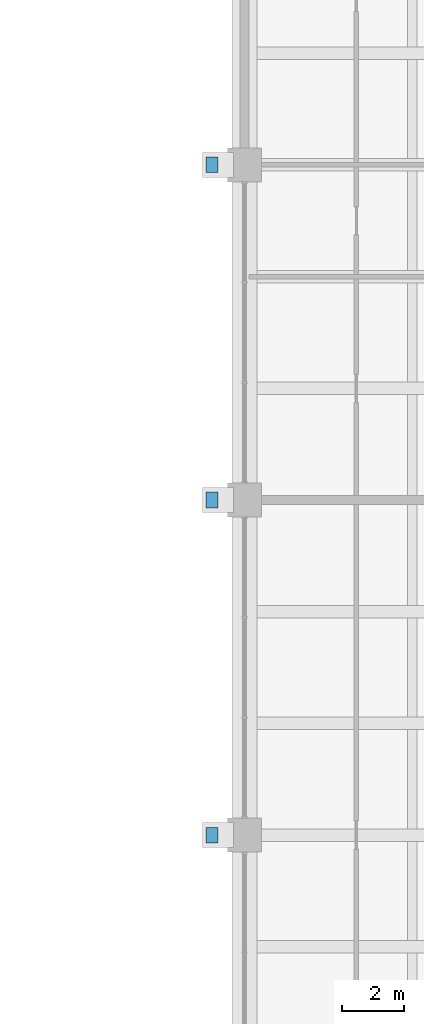
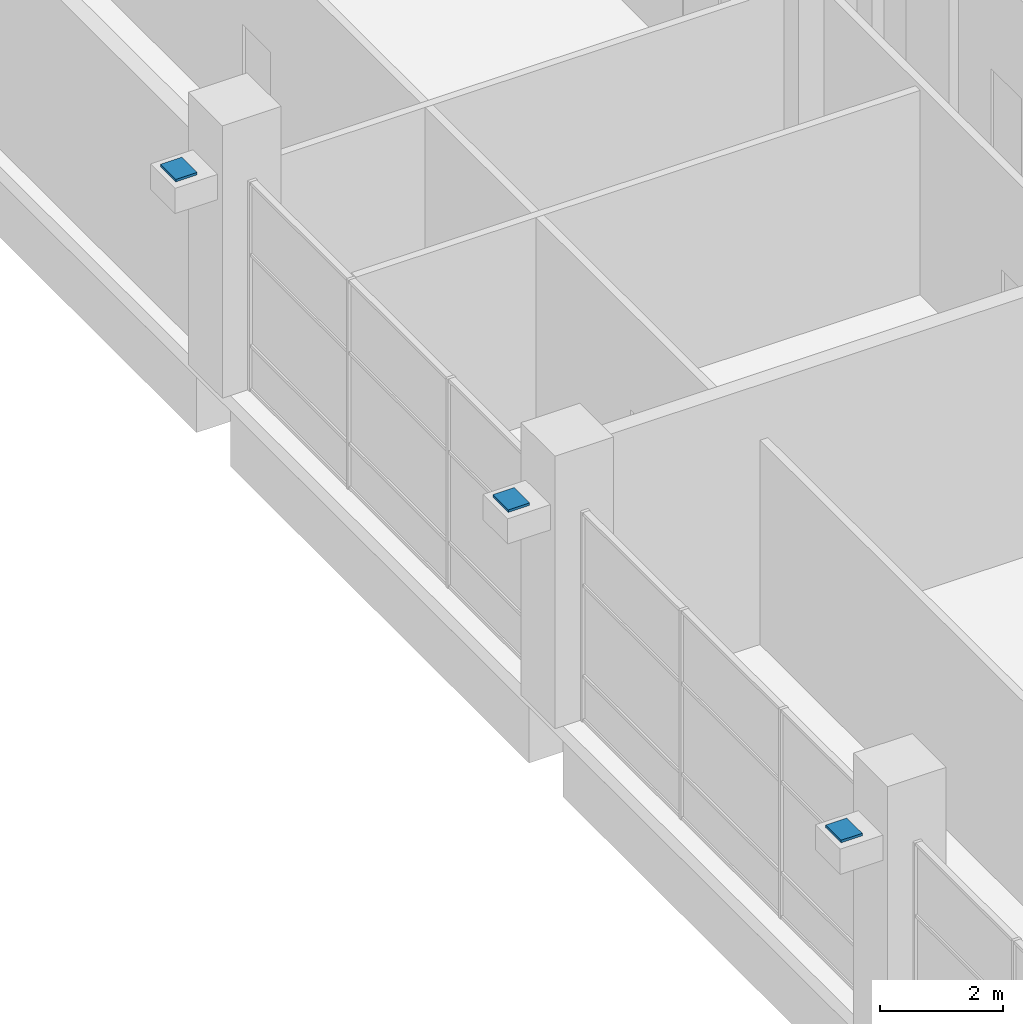
# One storey, part 32 of 38: 3 discrete accessories.
"""IFC4 building model written with IfcOpenShell, lengths in metres."""

import ifcopenshell
import ifcopenshell.guid

model = None  # the IFC model being written
_history = None  # IfcOwnerHistory: only IFC2X3 demands one
_inside = {}  # id of a spatial element -> (the spatial element, [elements in it])
_under = {}  # id of a project, library or spatial element -> (it, [spatial elements below it])
_declared = {}  # id of a project -> (the project, [libraries it declares])
_typed = {}  # id of a type object -> (the type object, [elements of that type])
_made_of = {}  # id of a material, layer set ... -> (it, [elements and type objects made of it])


def new_model(schema):
    """Start an empty IFC model of exactly this schema.

    Asked for "IFC4X3", IfcOpenShell would pick the latest addendum, in which some entities
    have other attributes; the version numbers below select the first issue.
    IFC2X3 requires an IfcOwnerHistory on every rooted entity: one is made here for all.
    """
    global model, _history
    if schema == "IFC4X3":
        model = ifcopenshell.file(schema_version=(4, 3, 0, 0))
    else:
        model = ifcopenshell.file(schema=schema)
    _inside.clear()
    _under.clear()
    _declared.clear()
    _typed.clear()
    _made_of.clear()
    _history = None
    if model.schema == "IFC2X3":
        org = make("IfcOrganization", Name="unknown")
        user = make(
            "IfcPersonAndOrganization",
            ThePerson=make("IfcPerson", FamilyName="unknown"),
            TheOrganization=org,
        )
        app = make(
            "IfcApplication",
            ApplicationDeveloper=org,
            Version="unknown",
            ApplicationFullName="unknown",
            ApplicationIdentifier="unknown",
        )
        _history = make(
            "IfcOwnerHistory",
            OwningUser=user,
            OwningApplication=app,
            ChangeAction="ADDED",
            CreationDate=0,
        )
    return model


def make(cls, **values):
    """One entity of the class cls with the attributes given. An attribute that is None is left unset."""
    return model.create_entity(
        cls, **{name: value for name, value in values.items() if value is not None}
    )


def rooted(cls, **values):
    """An entity with a GlobalId (a new one), such as an element, a storey or a relation."""
    return make(cls, GlobalId=ifcopenshell.guid.new(), OwnerHistory=_history, **values)


def si_unit(unit_type, name, prefix=None):
    """IfcSIUnit, for example si_unit("LENGTHUNIT", "METRE", prefix="MILLI")."""
    return make("IfcSIUnit", UnitType=unit_type, Prefix=prefix, Name=name)


def assignment(units):
    """IfcUnitAssignment: the units of a project."""
    return None if units is None else make("IfcUnitAssignment", Units=units)


def point(xyz):
    """IfcCartesianPoint."""
    return None if xyz is None else make("IfcCartesianPoint", Coordinates=xyz)


def direction(xyz):
    """IfcDirection."""
    return None if xyz is None else make("IfcDirection", DirectionRatios=xyz)


def frame(location, z_axis=None, x_axis=None):
    """IfcAxis2Placement3D, a coordinate frame: its origin and axes. An axis left out is left unset."""
    return make(
        "IfcAxis2Placement3D",
        Location=point(location),
        Axis=direction(z_axis),
        RefDirection=direction(x_axis),
    )


def frame_2d(location, x_axis=None):
    """IfcAxis2Placement2D, a coordinate frame in the plane: its origin and x axis."""
    return make(
        "IfcAxis2Placement2D", Location=point(location), RefDirection=direction(x_axis)
    )


def origin():
    """The frame at (0, 0, 0) with its axes left unset."""
    return frame((0.0, 0.0, 0.0))


def origin_2d():
    """The frame at (0, 0) in the plane with its x axis left unset."""
    return frame_2d((0.0, 0.0))


def place(relative_to, where):
    """IfcLocalPlacement: puts the frame where relative to a parent placement (None: the world)."""
    return make(
        "IfcLocalPlacement", PlacementRelTo=relative_to, RelativePlacement=where
    )


def context(
    kind, dimensions, precision=None, world=None, true_north=None, identifier=None
):
    """IfcGeometricRepresentationContext, for example the 3D "Model" context."""
    return make(
        "IfcGeometricRepresentationContext",
        ContextIdentifier=identifier,
        ContextType=kind,
        CoordinateSpaceDimension=dimensions,
        Precision=precision,
        WorldCoordinateSystem=world,
        TrueNorth=true_north,
    )


def subcontext(parent, identifier, kind, view, scale=None):
    """IfcGeometricRepresentationSubContext, for example "Body" below "Model"."""
    return make(
        "IfcGeometricRepresentationSubContext",
        ContextIdentifier=identifier,
        ContextType=kind,
        ParentContext=parent,
        TargetScale=scale,
        TargetView=view,
    )


def project(units=None, contexts=None):
    """IfcProject with its units and contexts."""
    return rooted(
        "IfcProject",
        Name="project",
        RepresentationContexts=contexts,
        UnitsInContext=assignment(units),
    )


def spatial(cls, under=None, at=None, **own):
    """A site, building, storey or space (cls), placed at a placement, below another one or the project."""
    s = rooted(cls, ObjectPlacement=at, **own)
    if under is not None:
        _under.setdefault(under.id(), (under, []))[1].append(s)
    return s


def profile(cls, at=None, kind="AREA", **sizes):
    """A parametric profile (cls). Its sizes go by their IFC names, for example OverallWidth=200.0."""
    return make(cls, ProfileType=kind, Position=at, **sizes)


def rectangle(**sizes):
    """IfcRectangleProfileDef."""
    return profile("IfcRectangleProfileDef", **sizes)


def extrude(swept, where, along, depth):
    """IfcExtrudedAreaSolid: the profile swept, set in the frame where, extruded along a direction by depth."""
    return make(
        "IfcExtrudedAreaSolid",
        SweptArea=swept,
        Position=where,
        ExtrudedDirection=direction(along),
        Depth=depth,
    )


def shape(context_of_items, identifier, shape_type, items):
    """IfcShapeRepresentation: the items that make up one representation, for example the "Body"."""
    return make(
        "IfcShapeRepresentation",
        ContextOfItems=context_of_items,
        RepresentationIdentifier=identifier,
        RepresentationType=shape_type,
        Items=items,
    )


def material(Name=None, Category=None):
    """IfcMaterial."""
    return make("IfcMaterial", Name=Name, Category=Category)


def made_of(thing, what):
    """Note that an element or type object is made of a material, layer set ...; save() writes the relation."""
    if what is not None:
        _made_of.setdefault(what.id(), (what, []))[1].append(thing)
    return thing


def type_object(cls, material=None, **own):
    """A type object (cls), such as IfcWallType, which elements share."""
    return made_of(rooted(cls, **own), material)


def element(
    cls,
    number,
    at=None,
    inside=None,
    cuts=None,
    type_object=None,
    material=None,
    context=None,
    identifier="Body",
    shape_type=None,
    held_by="IfcProductDefinitionShape",
    body=None,
    shapes=None,
    **own,
):
    """One element of the class cls, such as IfcWall. Its Tag is "e" and its number.

    at: its placement. inside: the storey or other place that contains it. cuts: it is an
    opening in that element (IfcRelVoidsElement). A single representation is given by context,
    identifier, shape_type and body (its items); several are given by shapes. held_by: the class
    of the entity that holds the representations. save() writes the other relations.
    """
    e = rooted(cls, Tag="e%d" % number, ObjectPlacement=at, **own)
    if body is not None:
        shapes = [shape(context, identifier, shape_type, body)]
    if shapes is not None:
        e.Representation = make(held_by, Representations=shapes)
    if inside is not None:
        _inside.setdefault(inside.id(), (inside, []))[1].append(e)
    if cuts is not None:
        rooted(
            "IfcRelVoidsElement", RelatingBuildingElement=cuts, RelatedOpeningElement=e
        )
    if type_object is not None:
        _typed.setdefault(type_object.id(), (type_object, []))[1].append(e)
    return made_of(e, material)


def aggregate(whole, parts):
    """IfcRelAggregates: a whole, such as a stair, and the parts it consists of."""
    return rooted("IfcRelAggregates", RelatingObject=whole, RelatedObjects=parts)


def save(model, path):
    """Write the relations noted so far, then the file.

    IfcRelAggregates (storeys below a building ...), IfcRelContainedInSpatialStructure (elements
    in a storey), IfcRelDefinesByType, IfcRelAssociatesMaterial and IfcRelDeclares: one each for
    every whole, place, type object, material and project.
    """
    for whole, parts in _under.values():
        aggregate(whole, parts)
    for where, things in _inside.values():
        rooted(
            "IfcRelContainedInSpatialStructure",
            RelatedElements=things,
            RelatingStructure=where,
        )
    for kind, things in _typed.values():
        rooted("IfcRelDefinesByType", RelatedObjects=things, RelatingType=kind)
    for what, things in _made_of.values():
        rooted("IfcRelAssociatesMaterial", RelatedObjects=things, RelatingMaterial=what)
    for by, libraries in _declared.values():
        rooted("IfcRelDeclares", RelatingContext=by, RelatedDefinitions=libraries)
    model.write(path)


model = new_model("IFC4")

# Units and contexts
model_context = context("Model", 3, precision=1e-05, world=origin(), true_north=direction((0.0, 1.0)))
body_context = subcontext(model_context, "Body", "Model", "MODEL_VIEW")
ifc_project = project(units=[si_unit("LENGTHUNIT", "METRE"), si_unit("AREAUNIT", "SQUARE_METRE"), si_unit("VOLUMEUNIT", "CUBIC_METRE"), si_unit("PLANEANGLEUNIT", "RADIAN"), si_unit("MASSUNIT", "GRAM", prefix="KILO")], contexts=[model_context])

# Site, building, storey
site_placement = place(None, origin())
site = spatial("IfcSite", under=ifc_project, at=site_placement, CompositionType="ELEMENT")
building_placement = place(site_placement, origin())
building = spatial("IfcBuilding", under=site, at=building_placement, Name="Basin Gate Institute", CompositionType="ELEMENT")
storey_placement = place(building_placement, frame((0.0, 0.0, 16.800048828125)))
storey = spatial("IfcBuildingStorey", under=building, at=storey_placement, Name="L03", CompositionType="ELEMENT", Elevation=16.800048828125)

# Discrete accessories
ifc_material = material(Name="Stainless steel plate on PTFE sliding surface", Category="steel")
discrete_accessory_type = type_object("IfcDiscreteAccessoryType", Name="Sliding bearing BR1", PredefinedType="SHOE", material=ifc_material)
for number, where, z_axis, x_axis, name in (
    (1, (99.75, 67.5, 4.35009765625), (0.0, 0.0, 1.0), (1.0, 0.0, 0.0), "Atrium shell sliding bearing 4E"),
    (2, (99.75, 78.300048828125, 4.35009765625), (0.0, 0.0, 1.0), (1.0, 0.0, 0.0), "Atrium shell sliding bearing 5E"),
    (3, (99.75, 89.10009765625, 4.35009765625), (0.0, 0.0, 1.0), (1.0, 0.0, 0.0), "Atrium shell sliding bearing 6E"),
):
    element("IfcDiscreteAccessory", number, at=place(storey_placement, frame(where, z_axis=z_axis, x_axis=x_axis)), inside=storey, type_object=discrete_accessory_type, material=ifc_material, Name=name, PredefinedType="SHOE", context=body_context, shape_type="SweptSolid", body=[
        extrude(rectangle(XDim=0.39990234375, YDim=0.5, at=origin_2d()), origin(), (0.0, 0.0, 1.0), 0.050048828125),
    ])

save(model, "model.ifc")
